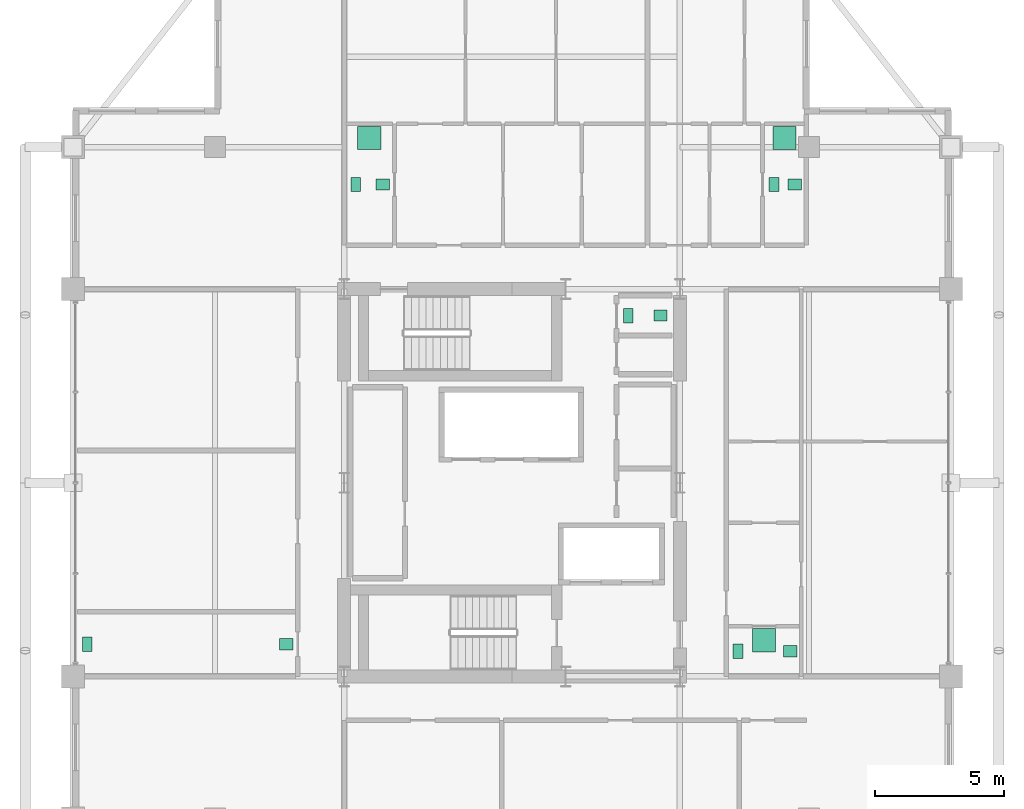
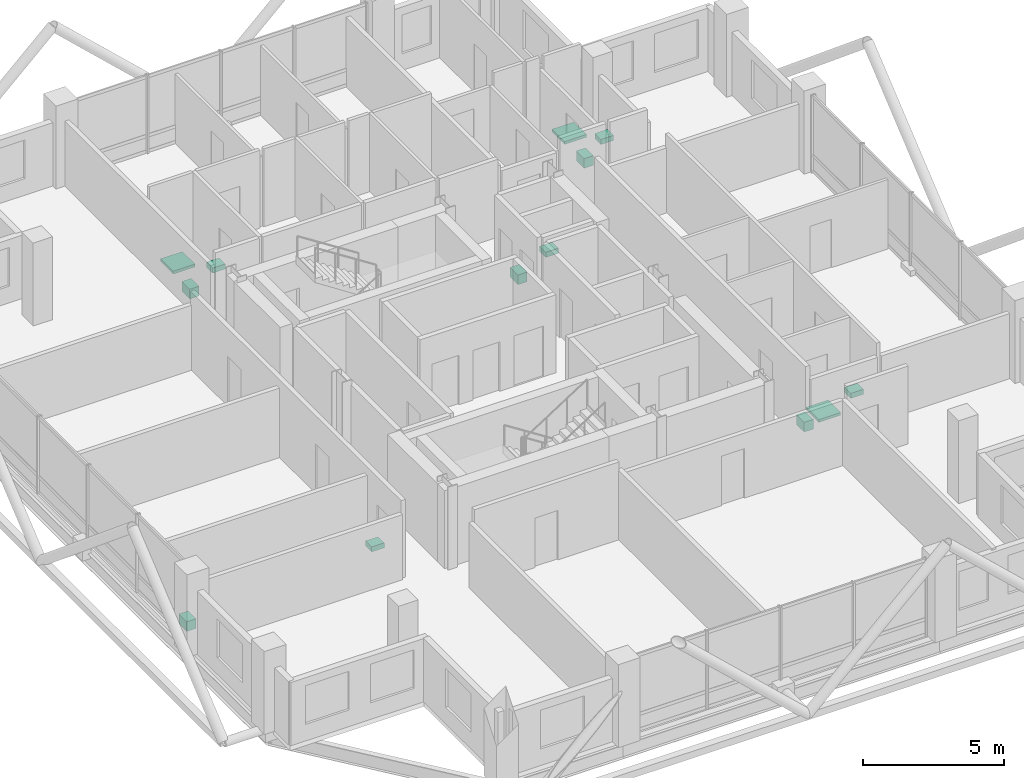
# One storey, part 24 of 24: 13 sanitary terminals.
"""IFC4 building model written with IfcOpenShell, lengths in metres."""

from ifc_helpers import new_model, si_unit, direction, frame, origin, origin_2d, place, context, subcontext, project, spatial, rectangle, extrude, material, type_object, element, save


model = new_model("IFC4")

# Units and contexts
model_context = context("Model", 3, precision=1e-05, world=origin(), true_north=direction((0.0, 1.0)))
body_context = subcontext(model_context, "Body", "Model", "MODEL_VIEW")
ifc_project = project(units=[si_unit("LENGTHUNIT", "METRE"), si_unit("AREAUNIT", "SQUARE_METRE"), si_unit("VOLUMEUNIT", "CUBIC_METRE"), si_unit("PLANEANGLEUNIT", "RADIAN"), si_unit("MASSUNIT", "GRAM", prefix="KILO")], contexts=[model_context])

# Site, building, storey
site_placement = place(None, origin())
site = spatial("IfcSite", under=ifc_project, at=site_placement, CompositionType="ELEMENT")
building_placement = place(site_placement, origin())
building = spatial("IfcBuilding", under=site, at=building_placement, Name="Barlavira Tower and Art Museum", CompositionType="ELEMENT")
storey_placement = place(building_placement, frame((0.0, 0.0, 283.5)))
storey = spatial("IfcBuildingStorey", under=building, at=storey_placement, Name="L74", CompositionType="ELEMENT", Elevation=283.5)

# Sanitary terminals
ifc_material = material(Name="Vitreous glazed ceramic", Category="ceramic")
sanitary_terminal_type_1 = type_object("IfcSanitaryTerminalType", Name="Countertop Ceramic Wash Hand Basin", PredefinedType="WASHHANDBASIN", material=ifc_material)
for number, where, z_axis, x_axis, name in (
    (1, (5.75, 6.47509765625, 0.740234375), (0.0, 0.0, 1.0), (1.0, 0.0, 0.0), "L74-C-WC1 Wash Basin"),
    (2, (-5.0, 11.550048828125, 0.740234375), (0.0, 0.0, 1.0), (1.0, 0.0, 0.0), "L74-N1-BTH1 Wash Basin"),
    (3, (10.949951171875, 11.550048828125, 0.740234375), (0.0, 0.0, 1.0), (1.0, 0.0, 0.0), "L74-N2-BTH1 Wash Basin"),
    (4, (-8.75, -6.25, 0.740234375), (0.0, 0.0, 1.0), (1.0, 0.0, 0.0), "L74-W-SWC Wash Basin"),
    (5, (10.77001953125, -6.52490234375, 0.740234375), (0.0, 0.0, 1.0), (1.0, 0.0, 0.0), "L74-E1-BTH1 Wash Basin"),
):
    element("IfcSanitaryTerminal", number, at=place(storey_placement, frame(where, z_axis=z_axis, x_axis=x_axis)), inside=storey, type_object=sanitary_terminal_type_1, Name=name, PredefinedType="WASHHANDBASIN", context=body_context, shape_type="SweptSolid", body=[
        extrude(rectangle(XDim=0.52001953125, YDim=0.43994140625, at=origin_2d()), origin(), (0.0, 0.0, 1.0), 0.219970703125),
    ])
sanitary_terminal_type_2 = type_object("IfcSanitaryTerminalType", Name="Walk-In Thermostatic Rain Shower Unit", PredefinedType="SHOWER", material=ifc_material)
for number, where, z_axis, x_axis, name in (
    (6, (-5.52490234375, 13.35009765625, 0.0), (0.0, 0.0, 1.0), (1.0, 0.0, 0.0), "L74-N1-BTH1 Rain Shower"),
    (7, (10.550048828125, 13.35009765625, 0.0), (0.0, 0.0, 1.0), (1.0, 0.0, 0.0), "L74-N2-BTH1 Rain Shower"),
    (8, (9.760009765625, -6.10009765625, 0.0), (0.0, 0.0, 1.0), (1.0, 0.0, 0.0), "L74-E1-BTH1 Rain Shower"),
):
    element("IfcSanitaryTerminal", number, at=place(storey_placement, frame(where, z_axis=z_axis, x_axis=x_axis)), inside=storey, type_object=sanitary_terminal_type_2, Name=name, PredefinedType="SHOWER", context=body_context, shape_type="SweptSolid", body=[
        extrude(rectangle(XDim=0.89990234375, YDim=0.89990234375, at=origin_2d()), origin(), (0.0, 0.0, 1.0), 0.1201171875),
    ])
sanitary_terminal_type_3 = type_object("IfcSanitaryTerminalType", Name="Wall-Hung Dual-Flush Vitreous WC Pan", PredefinedType="TOILETPAN", material=ifc_material)
for number, where, z_axis, x_axis, name in (
    (9, (4.5, 6.47509765625, 0.0), (0.0, 0.0, 1.0), (1.0, 0.0, 0.0), "L74-C-WC1 WC Pan"),
    (10, (-6.050048828125, 11.550048828125, 0.0), (0.0, 0.0, 1.0), (1.0, 0.0, 0.0), "L74-N1-BTH1 WC Pan"),
    (11, (10.14990234375, 11.550048828125, 0.0), (0.0, 0.0, 1.0), (1.0, 0.0, 0.0), "L74-N2-BTH1 WC Pan"),
    (12, (-16.449951171875, -6.25, 0.0), (0.0, 0.0, 1.0), (1.0, 0.0, 0.0), "L74-W-SWC WC Pan"),
    (13, (8.75, -6.52490234375, 0.0), (0.0, 0.0, 1.0), (1.0, 0.0, 0.0), "L74-E1-BTH1 WC Pan"),
):
    element("IfcSanitaryTerminal", number, at=place(storey_placement, frame(where, z_axis=z_axis, x_axis=x_axis)), inside=storey, type_object=sanitary_terminal_type_3, Name=name, PredefinedType="TOILETPAN", context=body_context, shape_type="SweptSolid", body=[
        extrude(rectangle(XDim=0.3798828125, YDim=0.56005859375, at=origin_2d()), origin(), (0.0, 0.0, 1.0), 0.419921875),
    ])

save(model, "model.ifc")
